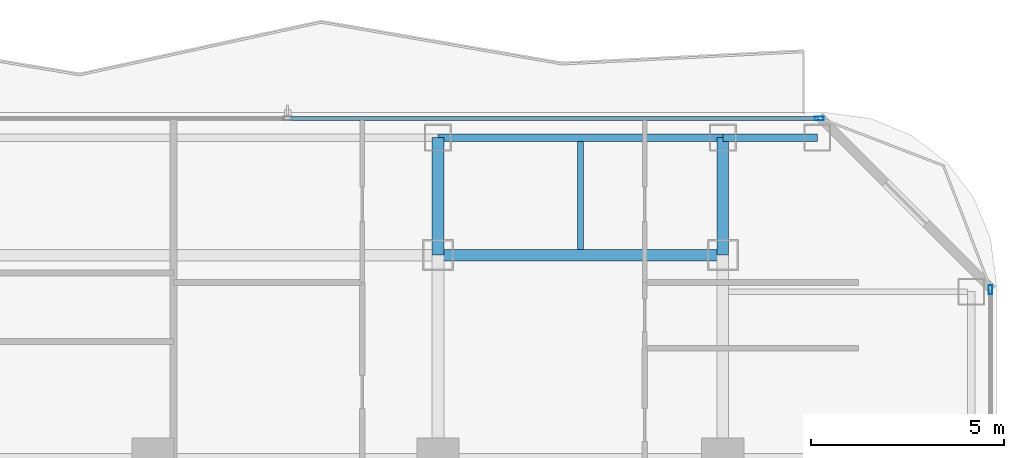
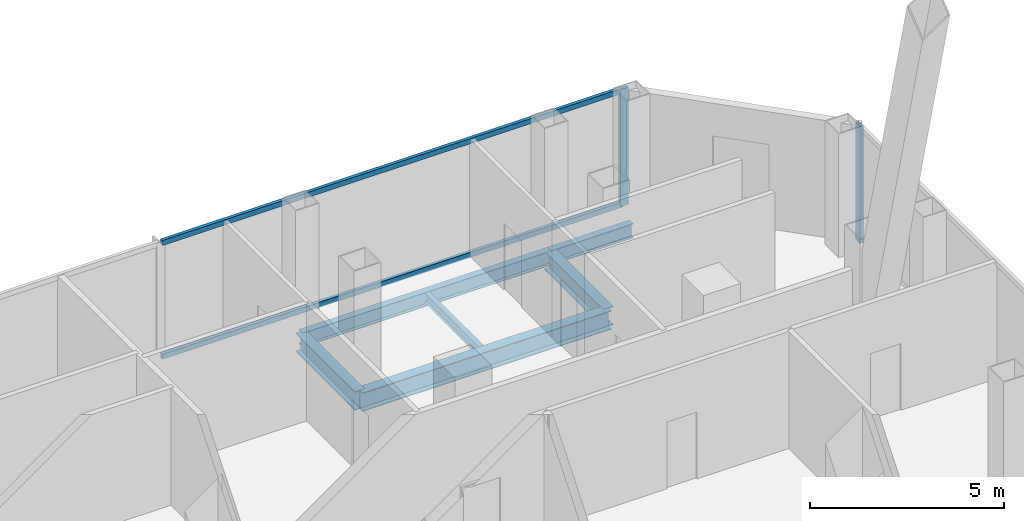
# One storey, part 21 of 34: 6 beams, 4 members, 2 elements without a shape of their own.
"""IFC4 building model written with IfcOpenShell, lengths in metres."""

from ifc_helpers import new_model, si_unit, direction, frame, origin, origin_2d, place, context, subcontext, project, spatial, hollow_rectangle, i_section, extrude, material, layer, layer_set, material_profile, profile_set, type_object, element, aggregate, save


model = new_model("IFC4")

# Units and contexts
model_context = context("Model", 3, precision=1e-05, world=origin(), true_north=direction((0.0, 1.0)))
body_context = subcontext(model_context, "Body", "Model", "MODEL_VIEW")
ifc_project = project(units=[si_unit("LENGTHUNIT", "METRE"), si_unit("AREAUNIT", "SQUARE_METRE"), si_unit("VOLUMEUNIT", "CUBIC_METRE"), si_unit("PLANEANGLEUNIT", "RADIAN"), si_unit("MASSUNIT", "GRAM", prefix="KILO")], contexts=[model_context])

# Site, building, storey
site_placement = place(None, origin())
site = spatial("IfcSite", under=ifc_project, at=site_placement, CompositionType="ELEMENT")
building_placement = place(site_placement, origin())
building = spatial("IfcBuilding", under=site, at=building_placement, Name="Khorvyn Point Tower", CompositionType="ELEMENT")
storey_placement = place(building_placement, frame((0.0, 0.0, 175.800048828125)))
storey = spatial("IfcBuildingStorey", under=building, at=storey_placement, Name="L43", CompositionType="ELEMENT", Elevation=175.800048828125)

# Curtain wall, member
ifc_material_1 = material(Name="Anodised aluminium 6063-T6 and laminated Low-E glass", Category="aluminium")
ifc_layer = layer(ifc_material_1, 0.18994140625)
ifc_layer_set = layer_set([ifc_layer], Name="Stick-Built Acoustic Curtain Wall CW-SYS-03")
curtain_wall_type = type_object("IfcCurtainWallType", Name="Stick-Built Acoustic Curtain Wall CW-SYS-03", PredefinedType="NOTDEFINED", material=ifc_layer_set)
curtain_wall_1_placement = place(storey_placement, origin())
curtain_wall_1 = element("IfcCurtainWall", 1, at=curtain_wall_1_placement, inside=storey, type_object=curtain_wall_type, Name="Curtain Wall", PredefinedType="NOTDEFINED")
ifc_material_2 = material(Name="Anodised aluminium 6063-T6", Category="aluminium")
ifc_material_profile_1 = material_profile(ifc_material_2, hollow_rectangle(XDim=0.10009765625, YDim=0.239990234375, WallThickness=0.0048828125, at=origin_2d()))
ifc_profile_set_1 = profile_set([ifc_material_profile_1], Name="Anodised aluminium 6063-T6 ALU-MUL-100x240")
member_type_1 = type_object("IfcMemberType", Name="Anodised Aluminium 6063-T6 Mullion ALU-MUL-100x240", PredefinedType="MULLION", material=ifc_profile_set_1)
member_1_placement = place(storey_placement, frame((17.300048828125, 23.64990234375, 0.0), z_axis=(0.0, 0.0, 1.0), x_axis=(0.0, 1.0, 0.0)))
member_1 = element("IfcMember", 2, at=member_1_placement, type_object=member_type_1, Name="Transom", PredefinedType="MULLION", context=body_context, shape_type="SweptSolid", body=[
    extrude(hollow_rectangle(XDim=0.10009765625, YDim=0.239990234375, WallThickness=0.0048828125, at=origin_2d()), origin(), (0.0, 0.0, 1.0), 3.679931640625),
])

curtain_wall_2_placement = place(storey_placement, origin())
curtain_wall_2 = element("IfcCurtainWall", 3, at=curtain_wall_2_placement, inside=storey, type_object=curtain_wall_type, Name="Curtain Wall", PredefinedType="NOTDEFINED")
member_2_placement = place(storey_placement, frame((21.75, 19.199951171875, 0.0), z_axis=(0.0, 0.0, 1.0), x_axis=(1.0, 0.0, 0.0)))
member_2 = element("IfcMember", 4, at=member_2_placement, type_object=member_type_1, Name="Transom", PredefinedType="MULLION", context=body_context, shape_type="SweptSolid", body=[
    extrude(hollow_rectangle(XDim=0.10009765625, YDim=0.239990234375, WallThickness=0.0048828125, at=origin_2d()), origin(), (0.0, 0.0, 1.0), 3.679931640625),
])
aggregate(curtain_wall_2, [member_2])

# Member
ifc_material_profile_2 = material_profile(ifc_material_2, hollow_rectangle(XDim=0.10009765625, YDim=0.159912109375, WallThickness=0.00439453125, at=origin_2d()))
ifc_profile_set_2 = profile_set([ifc_material_profile_2], Name="Anodised aluminium 6063-T6 ALU-TRN-100x160")
member_type_2 = type_object("IfcMemberType", Name="Anodised Aluminium 6063-T6 Transom ALU-TRN-100x160", PredefinedType="USERDEFINED", material=ifc_profile_set_2)
member_3_placement = place(storey_placement, frame((3.54638671875, 23.64990234375, 0.050048828125), z_axis=(1.0, 0.0, 0.0), x_axis=(0.0, 1.0, 0.0)))
member_3 = element("IfcMember", 5, at=member_3_placement, type_object=member_type_2, Name="Transom", ObjectType="TRANSOM", PredefinedType="USERDEFINED", context=body_context, shape_type="SweptSolid", body=[
    extrude(hollow_rectangle(XDim=0.10009765625, YDim=0.159912109375, WallThickness=0.00439453125, at=origin_2d()), origin(), (0.0, 0.0, 1.0), 13.70361328125),
])

member_4_placement = place(storey_placement, frame((3.54638671875, 23.64990234375, 3.6298828125), z_axis=(1.0, 0.0, 0.0), x_axis=(0.0, 1.0, 0.0)))
member_4 = element("IfcMember", 6, at=member_4_placement, type_object=member_type_2, Name="Transom", ObjectType="TRANSOM", PredefinedType="USERDEFINED", context=body_context, shape_type="SweptSolid", body=[
    extrude(hollow_rectangle(XDim=0.10009765625, YDim=0.159912109375, WallThickness=0.00439453125, at=origin_2d()), origin(), (0.0, 0.0, 1.0), 13.70361328125),
])

aggregate(curtain_wall_1, [member_1, member_3, member_4])

# Beams
ifc_material_3 = material(Name="Steel S355", Category="steel")
ifc_material_profile_3 = material_profile(ifc_material_3, i_section(OverallWidth=0.300048828125, OverallDepth=0.587890625, WebThickness=0.011962890625, FlangeThickness=0.02001953125, at=origin_2d()))
ifc_profile_set_3 = profile_set([ifc_material_profile_3], Name="Steel S355 H588x300x12x20")
beam_type_1 = type_object("IfcBeamType", Name="Steel S355 Beam H588x300x12x20", PredefinedType="BEAM", material=ifc_profile_set_3)
beam_1_placement = place(storey_placement, frame((7.39990234375, 20.10009765625, -0.51416015625), z_axis=(1.0, 0.0, 0.0), x_axis=(0.0, 1.0, 0.0)))
element("IfcBeam", 7, at=beam_1_placement, inside=storey, type_object=beam_type_1, Name="Beam", PredefinedType="BEAM", context=body_context, shape_type="SweptSolid", body=[
    extrude(i_section(OverallWidth=0.300048828125, OverallDepth=0.587890625, WebThickness=0.011962890625, FlangeThickness=0.02001953125, at=origin_2d()), origin(), (0.0, 0.0, 1.0), 7.400146484375),
])
for number, where, z_axis, x_axis, name in (
    (8, (14.800048828125, 20.10009765625, -0.51416015625), (0.0, 1.0, 0.0), (-1.0, 0.0, 0.0), "Beam"),
    (9, (7.39990234375, 20.10009765625, -0.51416015625), (0.0, 1.0, 0.0), (-1.0, 0.0, 0.0), "Beam"),
):
    element("IfcBeam", number, at=place(storey_placement, frame(where, z_axis=z_axis, x_axis=x_axis)), inside=storey, type_object=beam_type_1, Name=name, PredefinedType="BEAM", context=body_context, shape_type="SweptSolid", body=[
        extrude(i_section(OverallWidth=0.300048828125, OverallDepth=0.587890625, WebThickness=0.011962890625, FlangeThickness=0.02001953125, at=origin_2d()), origin(), (0.0, 0.0, 1.0), 3.0498046875),
    ])
ifc_material_profile_4 = material_profile(ifc_material_3, i_section(OverallWidth=0.14990234375, OverallDepth=0.300048828125, WebThickness=0.006591796875, FlangeThickness=0.009033203125, at=origin_2d()))
ifc_profile_set_4 = profile_set([ifc_material_profile_4], Name="Steel S355 H300x150x6.5x9")
beam_type_2 = type_object("IfcBeamType", Name="Steel S355 Joist H300x150x6.5x9", PredefinedType="JOIST", material=ifc_profile_set_4)
beam_2_placement = place(storey_placement, frame((11.10009765625, 20.25, -0.3701171875), z_axis=(0.0, 1.0, 0.0), x_axis=(-1.0, 0.0, 0.0)))
element("IfcBeam", 10, at=beam_2_placement, inside=storey, type_object=beam_type_2, Name="Beam", PredefinedType="JOIST", context=body_context, shape_type="SweptSolid", body=[
    extrude(i_section(OverallWidth=0.14990234375, OverallDepth=0.300048828125, WebThickness=0.006591796875, FlangeThickness=0.009033203125, at=origin_2d()), origin(), (0.0, 0.0, 1.0), 2.800048828125),
])
ifc_material_profile_5 = material_profile(ifc_material_3, i_section(OverallWidth=0.199951171875, OverallDepth=0.449951171875, WebThickness=0.009033203125, FlangeThickness=0.013916015625, at=origin_2d()))
ifc_profile_set_5 = profile_set([ifc_material_profile_5], Name="Steel S355 H450x200x9x14")
beam_type_3 = type_object("IfcBeamType", Name="Steel S355 Spandrel H450x200x9x14", PredefinedType="SPANDREL", material=ifc_profile_set_5)
beam_3_placement = place(storey_placement, frame((7.39990234375, 23.14990234375, -0.445068359375), z_axis=(1.0, 0.0, 0.0), x_axis=(0.0, 1.0, 0.0)))
element("IfcBeam", 11, at=beam_3_placement, inside=storey, type_object=beam_type_3, Name="Beam", PredefinedType="SPANDREL", context=body_context, shape_type="SweptSolid", body=[
    extrude(i_section(OverallWidth=0.199951171875, OverallDepth=0.449951171875, WebThickness=0.009033203125, FlangeThickness=0.013916015625, at=origin_2d()), origin(), (0.0, 0.0, 1.0), 7.400146484375),
])
beam_4_placement = place(storey_placement, frame((14.800048828125, 23.14990234375, -0.445068359375), z_axis=(1.0, 0.0, 0.0), x_axis=(0.0, 1.0, 0.0)))
element("IfcBeam", 12, at=beam_4_placement, inside=storey, type_object=beam_type_3, Name="Beam", PredefinedType="SPANDREL", context=body_context, shape_type="SweptSolid", body=[
    extrude(i_section(OverallWidth=0.199951171875, OverallDepth=0.449951171875, WebThickness=0.009033203125, FlangeThickness=0.013916015625, at=origin_2d()), origin(), (0.0, 0.0, 1.0), 2.449951171875),
])

save(model, "model.ifc")
